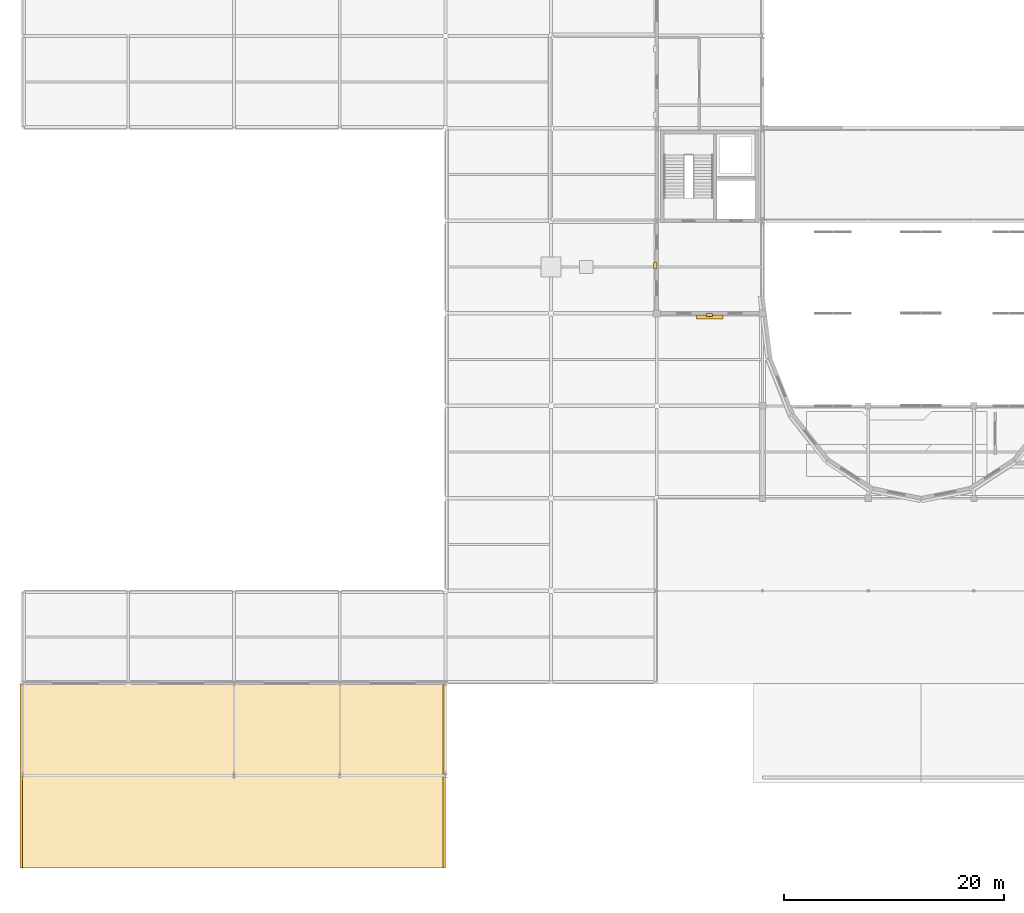
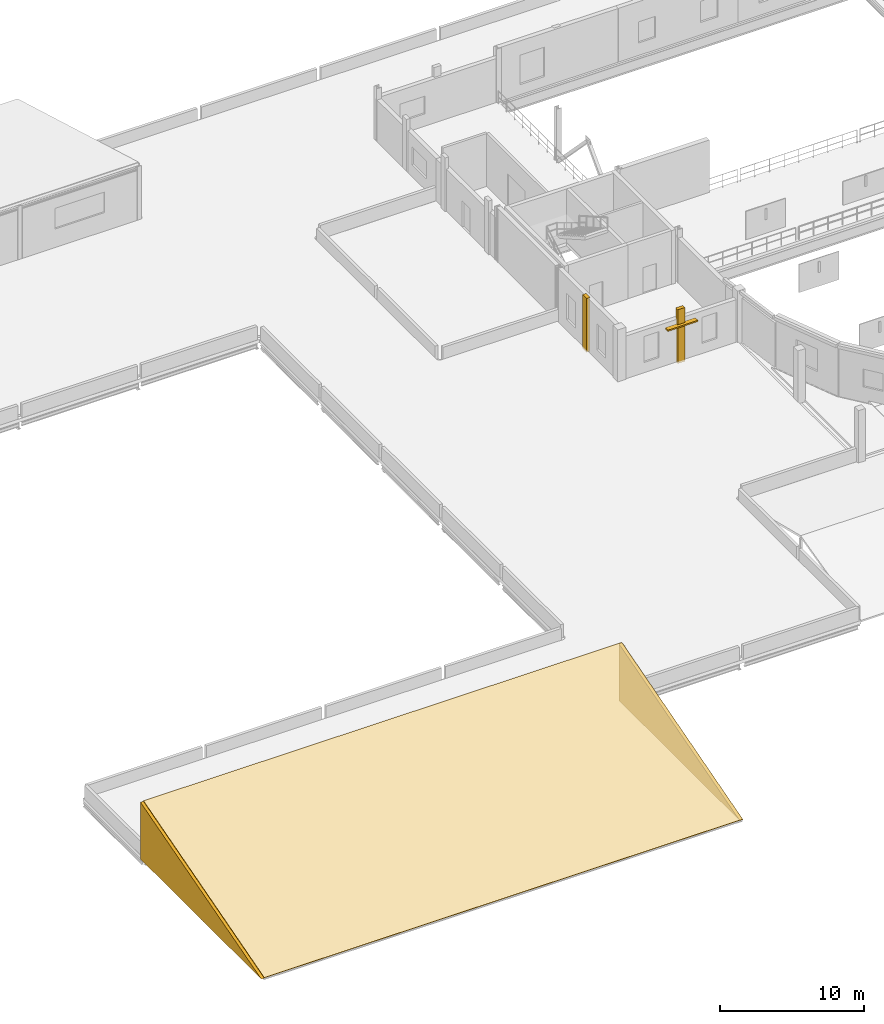
# One storey, part 47 of 52: 5 coverings, 1 shading device.
"""IFC4 building model written with IfcOpenShell, lengths in metres."""

import ifcopenshell
import ifcopenshell.guid

model = None  # the IFC model being written
_history = None  # IfcOwnerHistory: only IFC2X3 demands one
_inside = {}  # id of a spatial element -> (the spatial element, [elements in it])
_under = {}  # id of a project, library or spatial element -> (it, [spatial elements below it])
_declared = {}  # id of a project -> (the project, [libraries it declares])
_typed = {}  # id of a type object -> (the type object, [elements of that type])
_made_of = {}  # id of a material, layer set ... -> (it, [elements and type objects made of it])


def new_model(schema):
    """Start an empty IFC model of exactly this schema.

    Asked for "IFC4X3", IfcOpenShell would pick the latest addendum, in which some entities
    have other attributes; the version numbers below select the first issue.
    IFC2X3 requires an IfcOwnerHistory on every rooted entity: one is made here for all.
    """
    global model, _history
    if schema == "IFC4X3":
        model = ifcopenshell.file(schema_version=(4, 3, 0, 0))
    else:
        model = ifcopenshell.file(schema=schema)
    _inside.clear()
    _under.clear()
    _declared.clear()
    _typed.clear()
    _made_of.clear()
    _history = None
    if model.schema == "IFC2X3":
        org = make("IfcOrganization", Name="unknown")
        user = make(
            "IfcPersonAndOrganization",
            ThePerson=make("IfcPerson", FamilyName="unknown"),
            TheOrganization=org,
        )
        app = make(
            "IfcApplication",
            ApplicationDeveloper=org,
            Version="unknown",
            ApplicationFullName="unknown",
            ApplicationIdentifier="unknown",
        )
        _history = make(
            "IfcOwnerHistory",
            OwningUser=user,
            OwningApplication=app,
            ChangeAction="ADDED",
            CreationDate=0,
        )
    return model


def make(cls, **values):
    """One entity of the class cls with the attributes given. An attribute that is None is left unset."""
    return model.create_entity(
        cls, **{name: value for name, value in values.items() if value is not None}
    )


def rooted(cls, **values):
    """An entity with a GlobalId (a new one), such as an element, a storey or a relation."""
    return make(cls, GlobalId=ifcopenshell.guid.new(), OwnerHistory=_history, **values)


def si_unit(unit_type, name, prefix=None):
    """IfcSIUnit, for example si_unit("LENGTHUNIT", "METRE", prefix="MILLI")."""
    return make("IfcSIUnit", UnitType=unit_type, Prefix=prefix, Name=name)


def assignment(units):
    """IfcUnitAssignment: the units of a project."""
    return None if units is None else make("IfcUnitAssignment", Units=units)


def point(xyz):
    """IfcCartesianPoint."""
    return None if xyz is None else make("IfcCartesianPoint", Coordinates=xyz)


def direction(xyz):
    """IfcDirection."""
    return None if xyz is None else make("IfcDirection", DirectionRatios=xyz)


def frame(location, z_axis=None, x_axis=None):
    """IfcAxis2Placement3D, a coordinate frame: its origin and axes. An axis left out is left unset."""
    return make(
        "IfcAxis2Placement3D",
        Location=point(location),
        Axis=direction(z_axis),
        RefDirection=direction(x_axis),
    )


def frame_2d(location, x_axis=None):
    """IfcAxis2Placement2D, a coordinate frame in the plane: its origin and x axis."""
    return make(
        "IfcAxis2Placement2D", Location=point(location), RefDirection=direction(x_axis)
    )


def origin():
    """The frame at (0, 0, 0) with its axes left unset."""
    return frame((0.0, 0.0, 0.0))


def origin_2d():
    """The frame at (0, 0) in the plane with its x axis left unset."""
    return frame_2d((0.0, 0.0))


def place(relative_to, where):
    """IfcLocalPlacement: puts the frame where relative to a parent placement (None: the world)."""
    return make(
        "IfcLocalPlacement", PlacementRelTo=relative_to, RelativePlacement=where
    )


def context(
    kind, dimensions, precision=None, world=None, true_north=None, identifier=None
):
    """IfcGeometricRepresentationContext, for example the 3D "Model" context."""
    return make(
        "IfcGeometricRepresentationContext",
        ContextIdentifier=identifier,
        ContextType=kind,
        CoordinateSpaceDimension=dimensions,
        Precision=precision,
        WorldCoordinateSystem=world,
        TrueNorth=true_north,
    )


def subcontext(parent, identifier, kind, view, scale=None):
    """IfcGeometricRepresentationSubContext, for example "Body" below "Model"."""
    return make(
        "IfcGeometricRepresentationSubContext",
        ContextIdentifier=identifier,
        ContextType=kind,
        ParentContext=parent,
        TargetScale=scale,
        TargetView=view,
    )


def project(units=None, contexts=None):
    """IfcProject with its units and contexts."""
    return rooted(
        "IfcProject",
        Name="project",
        RepresentationContexts=contexts,
        UnitsInContext=assignment(units),
    )


def spatial(cls, under=None, at=None, **own):
    """A site, building, storey or space (cls), placed at a placement, below another one or the project."""
    s = rooted(cls, ObjectPlacement=at, **own)
    if under is not None:
        _under.setdefault(under.id(), (under, []))[1].append(s)
    return s


def polyline(points):
    """IfcPolyline through the points."""
    return make("IfcPolyline", Points=[point(p) for p in points])


def profile(cls, at=None, kind="AREA", **sizes):
    """A parametric profile (cls). Its sizes go by their IFC names, for example OverallWidth=200.0."""
    return make(cls, ProfileType=kind, Position=at, **sizes)


def rectangle(**sizes):
    """IfcRectangleProfileDef."""
    return profile("IfcRectangleProfileDef", **sizes)


def outline(outer, holes=None, kind="AREA"):
    """IfcArbitraryClosedProfileDef: a profile drawn as a closed curve; with holes, ...WithVoids."""
    if holes is None:
        return make("IfcArbitraryClosedProfileDef", ProfileType=kind, OuterCurve=outer)
    return make(
        "IfcArbitraryProfileDefWithVoids",
        ProfileType=kind,
        OuterCurve=outer,
        InnerCurves=holes,
    )


def extrude(swept, where, along, depth):
    """IfcExtrudedAreaSolid: the profile swept, set in the frame where, extruded along a direction by depth."""
    return make(
        "IfcExtrudedAreaSolid",
        SweptArea=swept,
        Position=where,
        ExtrudedDirection=direction(along),
        Depth=depth,
    )


def shape(context_of_items, identifier, shape_type, items):
    """IfcShapeRepresentation: the items that make up one representation, for example the "Body"."""
    return make(
        "IfcShapeRepresentation",
        ContextOfItems=context_of_items,
        RepresentationIdentifier=identifier,
        RepresentationType=shape_type,
        Items=items,
    )


def material(Name=None, Category=None):
    """IfcMaterial."""
    return make("IfcMaterial", Name=Name, Category=Category)


def layer(
    of_material, thickness, ventilated=None, Name=None, Category=None, Priority=None
):
    """IfcMaterialLayer: one layer of a wall or slab, of a material (None: an air gap)."""
    return make(
        "IfcMaterialLayer",
        Material=of_material,
        LayerThickness=thickness,
        IsVentilated=ventilated,
        Name=Name,
        Category=Category,
        Priority=Priority,
    )


def layer_set(layers, Name=None):
    """IfcMaterialLayerSet."""
    return make("IfcMaterialLayerSet", MaterialLayers=layers, LayerSetName=Name)


def made_of(thing, what):
    """Note that an element or type object is made of a material, layer set ...; save() writes the relation."""
    if what is not None:
        _made_of.setdefault(what.id(), (what, []))[1].append(thing)
    return thing


def type_object(cls, material=None, **own):
    """A type object (cls), such as IfcWallType, which elements share."""
    return made_of(rooted(cls, **own), material)


def element(
    cls,
    number,
    at=None,
    inside=None,
    cuts=None,
    type_object=None,
    material=None,
    context=None,
    identifier="Body",
    shape_type=None,
    held_by="IfcProductDefinitionShape",
    body=None,
    shapes=None,
    **own,
):
    """One element of the class cls, such as IfcWall. Its Tag is "e" and its number.

    at: its placement. inside: the storey or other place that contains it. cuts: it is an
    opening in that element (IfcRelVoidsElement). A single representation is given by context,
    identifier, shape_type and body (its items); several are given by shapes. held_by: the class
    of the entity that holds the representations. save() writes the other relations.
    """
    e = rooted(cls, Tag="e%d" % number, ObjectPlacement=at, **own)
    if body is not None:
        shapes = [shape(context, identifier, shape_type, body)]
    if shapes is not None:
        e.Representation = make(held_by, Representations=shapes)
    if inside is not None:
        _inside.setdefault(inside.id(), (inside, []))[1].append(e)
    if cuts is not None:
        rooted(
            "IfcRelVoidsElement", RelatingBuildingElement=cuts, RelatedOpeningElement=e
        )
    if type_object is not None:
        _typed.setdefault(type_object.id(), (type_object, []))[1].append(e)
    return made_of(e, material)


def aggregate(whole, parts):
    """IfcRelAggregates: a whole, such as a stair, and the parts it consists of."""
    return rooted("IfcRelAggregates", RelatingObject=whole, RelatedObjects=parts)


def save(model, path):
    """Write the relations noted so far, then the file.

    IfcRelAggregates (storeys below a building ...), IfcRelContainedInSpatialStructure (elements
    in a storey), IfcRelDefinesByType, IfcRelAssociatesMaterial and IfcRelDeclares: one each for
    every whole, place, type object, material and project.
    """
    for whole, parts in _under.values():
        aggregate(whole, parts)
    for where, things in _inside.values():
        rooted(
            "IfcRelContainedInSpatialStructure",
            RelatedElements=things,
            RelatingStructure=where,
        )
    for kind, things in _typed.values():
        rooted("IfcRelDefinesByType", RelatedObjects=things, RelatingType=kind)
    for what, things in _made_of.values():
        rooted("IfcRelAssociatesMaterial", RelatedObjects=things, RelatingMaterial=what)
    for by, libraries in _declared.values():
        rooted("IfcRelDeclares", RelatingContext=by, RelatedDefinitions=libraries)
    model.write(path)


model = new_model("IFC4")

# Units and contexts
model_context = context("Model", 3, precision=1e-05, world=origin(), true_north=direction((0.0, 1.0)))
body_context = subcontext(model_context, "Body", "Model", "MODEL_VIEW")
ifc_project = project(units=[si_unit("LENGTHUNIT", "METRE"), si_unit("AREAUNIT", "SQUARE_METRE"), si_unit("VOLUMEUNIT", "CUBIC_METRE"), si_unit("PLANEANGLEUNIT", "RADIAN"), si_unit("MASSUNIT", "GRAM", prefix="KILO")], contexts=[model_context])

# Site, building, storey
site_placement = place(None, origin())
site = spatial("IfcSite", under=ifc_project, at=site_placement, CompositionType="ELEMENT")
building_placement = place(site_placement, origin())
building = spatial("IfcBuilding", under=site, at=building_placement, Name="Lornevale Opera House", CompositionType="ELEMENT")
storey_placement = place(building_placement, frame((0.0, 0.0, 15.0)))
storey = spatial("IfcBuildingStorey", under=building, at=storey_placement, Name="L04", CompositionType="ELEMENT", Elevation=15.0)

# Coverings
ifc_material_1 = material(Name="Precast Concrete 40 MPa (CSA A23.1 C-1)", Category="concrete")
ifc_layer_1 = layer(ifc_material_1, 0.260009765625)
ifc_layer_set_1 = layer_set([ifc_layer_1], Name="Precast Concrete 40 MPa (CSA A23.1 C-1)")
covering_type_1 = type_object("IfcCoveringType", Name="Postmodern Sandstone Pilaster Rib", PredefinedType="CLADDING", material=ifc_layer_set_1)
covering_1_placement = place(storey_placement, origin())
element("IfcCovering", 1, at=covering_1_placement, inside=storey, type_object=covering_type_1, Name="Postmodern Sandstone Pilaster 0370", PredefinedType="CLADDING", context=body_context, shape_type="SweptSolid", body=[
    extrude(outline(polyline([(62.679931640625, 50.39990234375), (62.1201171875, 50.39990234375), (62.1201171875, 50.1201171875), (62.679931640625, 50.1201171875), (62.679931640625, 50.39990234375)])), origin(), (0.0, 0.0, 1.0), 4.56005859375),
])
covering_2_placement = place(storey_placement, origin())
element("IfcCovering", 2, at=covering_2_placement, inside=storey, type_object=covering_type_1, Name="Postmodern Sandstone Pilaster 0371", PredefinedType="CLADDING", context=body_context, shape_type="SweptSolid", body=[
    extrude(outline(polyline([(57.60009765625, 54.471923828125), (57.60009765625, 55.031982421875), (57.320068359375, 55.031982421875), (57.320068359375, 54.471923828125), (57.60009765625, 54.471923828125)])), origin(), (0.0, 0.0, 1.0), 4.56005859375),
])

# Shading device
ifc_material_2 = material(Name="Architectural Bronze Solar Louvre Alloy", Category="metal")
ifc_layer_2 = layer(ifc_material_2, 0.1201171875)
ifc_layer_set_2 = layer_set([ifc_layer_2], Name="Architectural Bronze Solar Louvre Alloy")
shading_device_type = type_object("IfcShadingDeviceType", Name="Postmodern Solar Brise-Soleil", PredefinedType="JALOUSIE", material=ifc_layer_set_2)
shading_device_placement = place(storey_placement, frame((62.39990234375, 50.080078125, 3.169921875), z_axis=(0.0, 0.0, 1.0), x_axis=(1.0, 0.0, 0.0)))
element("IfcShadingDevice", 3, at=shading_device_placement, inside=storey, type_object=shading_device_type, Name="Postmodern Solar Brise-Soleil SH-005", PredefinedType="JALOUSIE", context=body_context, shape_type="SweptSolid", body=[
    extrude(rectangle(XDim=2.39990234375, YDim=0.360107421875, at=origin_2d()), origin(), (0.0, 0.0, 1.0), 0.1201171875),
])

# Coverings
ifc_material_3 = material(Name="Queenston Buff Limestone Ashlar Masonry (25 MPa)", Category="masonry")
ifc_layer_3 = layer(ifc_material_3, 0.1201171875)
ifc_layer_set_3 = layer_set([ifc_layer_3], Name="Queenston Buff Limestone Ashlar Masonry (25 MPa)")
covering_type_2 = type_object("IfcCoveringType", Name="Precast Limestone Cornice Band", PredefinedType="CLADDING", material=ifc_layer_set_3)
for number, where, z_axis, x_axis, name in (
    (4, (0.0, 0.0, 0.0), (1.0, 0.0, 0.0), (0.0, 1.0, 0.0), "Studio Monopitch Cheek Wall 0555"),
    (5, (38.39990234375, 0.0, 0.0), (1.0, 0.0, 0.0), (0.0, 1.0, 0.0), "Studio Monopitch Cheek Wall 0557"),
):
    element("IfcCovering", number, at=place(storey_placement, frame(where, z_axis=z_axis, x_axis=x_axis)), inside=storey, type_object=covering_type_2, Name=name, PredefinedType="CLADDING", context=body_context, shape_type="SweptSolid", body=[
        extrude(outline(polyline([(0.0, 0.0), (16.800048828125, 0.0), (16.800048828125, 4.81689453125), (0.0, 0.0)])), origin(), (0.0, 0.0, -1.0), 0.239990234375),
    ])
ifc_material_4 = material(Name="Standing-Seam Satin Zinc Roofing", Category="metal")
ifc_layer_4 = layer(ifc_material_4, 0.044921875)
ifc_layer_set_4 = layer_set([ifc_layer_4], Name="Standing-Seam Satin Zinc Roofing")
covering_type_3 = type_object("IfcCoveringType", Name="Satin Zinc Studio Cladding", PredefinedType="ROOFING", material=ifc_layer_set_4)
covering_3_placement = place(storey_placement, frame((0.0, 0.0, 0.044921875), z_axis=(0.0, -0.275626897426, 0.961264694772), x_axis=(1.0, 0.0, 0.0)))
element("IfcCovering", 6, at=covering_3_placement, inside=storey, type_object=covering_type_3, Name="Satin Zinc Studio Cladding 0553", PredefinedType="ROOFING", context=body_context, shape_type="SweptSolid", body=[
    extrude(outline(polyline([(0.0, 0.0), (38.39990234375, 0.0), (38.39990234375, 17.477026795523827), (0.0, 17.477026795523827), (0.0, 0.0)])), origin(), (0.0, 0.0, -1.0), 0.044921875),
])

save(model, "model.ifc")
